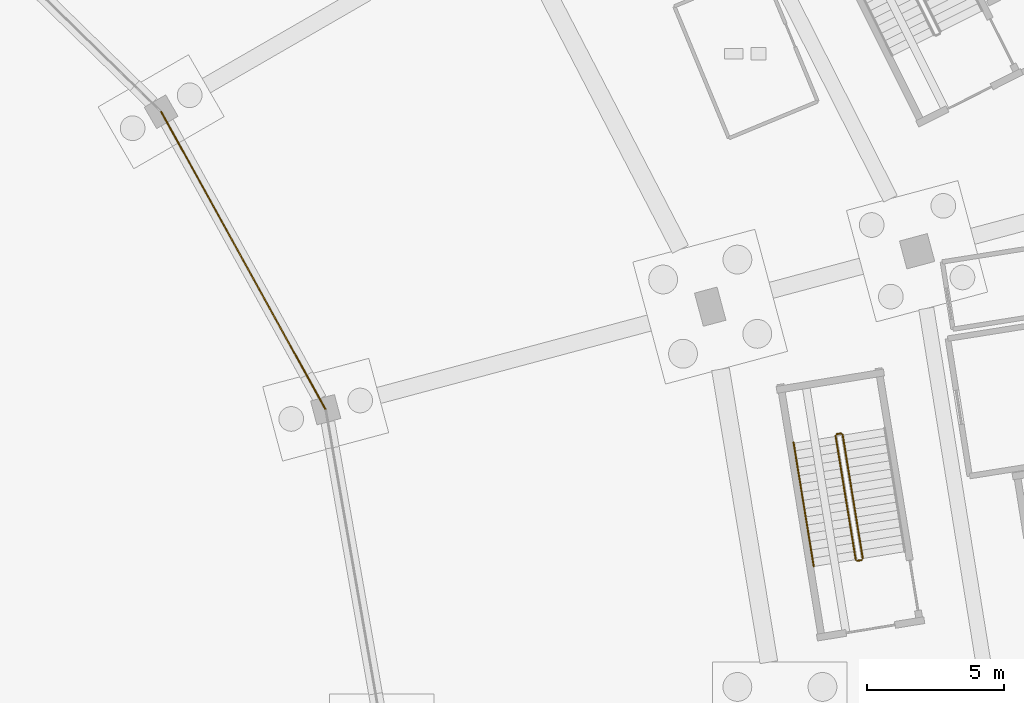
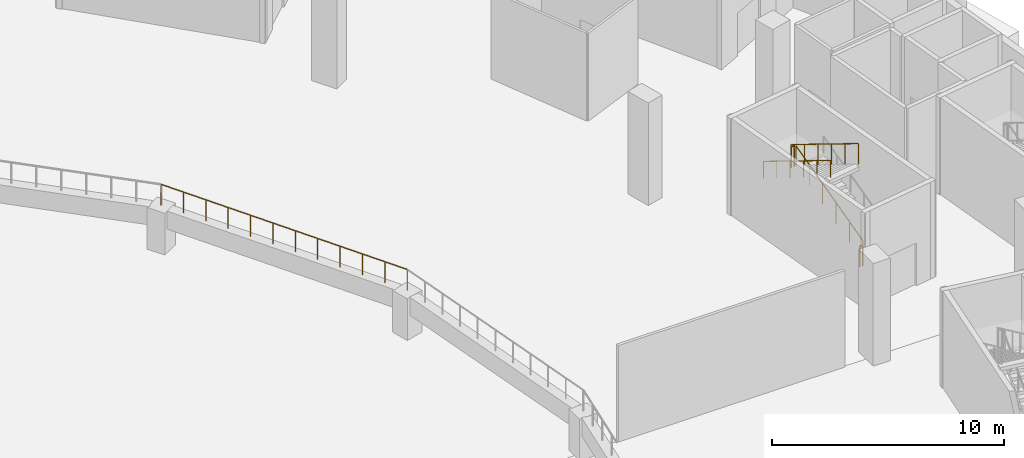
# One storey, part 78 of 103: 6 railings.
"""IFC4 building model written with IfcOpenShell, lengths in metres."""

from ifc_helpers import new_model, si_unit, direction, frame, origin, origin_2d, place, context, subcontext, project, spatial, circle, extrude, material, type_object, element, save


model = new_model("IFC4")

# Units and contexts
model_context = context("Model", 3, precision=1e-05, world=origin(), true_north=direction((0.0, 1.0)))
body_context = subcontext(model_context, "Body", "Model", "MODEL_VIEW")
ifc_project = project(units=[si_unit("LENGTHUNIT", "METRE"), si_unit("AREAUNIT", "SQUARE_METRE"), si_unit("VOLUMEUNIT", "CUBIC_METRE"), si_unit("PLANEANGLEUNIT", "RADIAN"), si_unit("MASSUNIT", "GRAM", prefix="KILO")], contexts=[model_context])

# Site, building, storey
site_placement = place(None, origin())
site = spatial("IfcSite", under=ifc_project, at=site_placement, CompositionType="ELEMENT")
building_placement = place(site_placement, origin())
building = spatial("IfcBuilding", under=site, at=building_placement, Name="Zevraka Park Crest Stadium", CompositionType="ELEMENT")
storey_placement = place(building_placement, origin())
storey = spatial("IfcBuildingStorey", under=building, at=storey_placement, Name="L00", CompositionType="ELEMENT", Elevation=0.0)

# Railings
ifc_material_1 = material(Name="Laminated glass and stainless steel sightline bowl guard", Category="steel")
railing_type_1 = type_object("IfcRailingType", Name="GR02", PredefinedType="GUARDRAIL", material=ifc_material_1)
railing_1_placement = place(storey_placement, frame((169.9560546875, 103.64697265625, 2.199951171875)))
element("IfcRailing", 1, at=railing_1_placement, inside=storey, type_object=railing_type_1, Name="Lower Tier Pitch Sightline Guard GR02 01", PredefinedType="GUARDRAIL", context=body_context, shape_type="SweptSolid", body=[
    extrude(circle(Radius=0.02392578125, at=origin_2d()), frame((0.0, 0.0, 1.09619140625), z_axis=(-0.483464590842, 0.875363918266, 0.0), x_axis=(-0.875363918266, -0.483464590842, 0.0)), (0.0, 0.0, 1.0), 12.398193359375),
    extrude(circle(Radius=0.02099609375, at=origin_2d()), origin(), (0.0, 0.0, 1.0), 1.072021484375),
    extrude(circle(Radius=0.02099609375, at=origin_2d()), frame((-0.544921875, 0.986572265625, 0.0)), (0.0, 0.0, 1.0), 1.072021484375),
    extrude(circle(Radius=0.02099609375, at=origin_2d()), frame((-1.08984375, 1.973388671875, 0.0)), (0.0, 0.0, 1.0), 1.072021484375),
    extrude(circle(Radius=0.02099609375, at=origin_2d()), frame((-1.634765625, 2.9599609375, 0.0)), (0.0, 0.0, 1.0), 1.072021484375),
    extrude(circle(Radius=0.02099609375, at=origin_2d()), frame((-2.1796875, 3.946533203125, 0.0)), (0.0, 0.0, 1.0), 1.072021484375),
    extrude(circle(Radius=0.02099609375, at=origin_2d()), frame((-2.724609375, 4.93310546875, 0.0)), (0.0, 0.0, 1.0), 1.072021484375),
    extrude(circle(Radius=0.02099609375, at=origin_2d()), frame((-3.26953125, 5.919921875, 0.0)), (0.0, 0.0, 1.0), 1.072021484375),
    extrude(circle(Radius=0.02099609375, at=origin_2d()), frame((-3.814453125, 6.906494140625, 0.0)), (0.0, 0.0, 1.0), 1.072021484375),
    extrude(circle(Radius=0.02099609375, at=origin_2d()), frame((-4.359375, 7.89306640625, 0.0)), (0.0, 0.0, 1.0), 1.072021484375),
    extrude(circle(Radius=0.02099609375, at=origin_2d()), frame((-4.904296875, 8.879638671875, 0.0)), (0.0, 0.0, 1.0), 1.072021484375),
    extrude(circle(Radius=0.02099609375, at=origin_2d()), frame((-5.44921875, 9.866455078125, 0.0)), (0.0, 0.0, 1.0), 1.072021484375),
    extrude(circle(Radius=0.02099609375, at=origin_2d()), frame((-5.994140625, 10.85302734375, 0.0)), (0.0, 0.0, 1.0), 1.072021484375),
])
ifc_material_2 = material(Name="Powder-coated tubular steel stairwell guard", Category="steel")
railing_type_2 = type_object("IfcRailingType", Name="GR03", PredefinedType="GUARDRAIL", material=ifc_material_2)
railing_2_placement = place(storey_placement, frame((189.51806640625, 98.22705078125, 0.168701171875)))
element("IfcRailing", 2, at=railing_2_placement, inside=storey, type_object=railing_type_2, Name="L00 ST33 stair guard 1", PredefinedType="GUARDRAIL", context=body_context, shape_type="SweptSolid", body=[
    extrude(circle(Radius=0.02392578125, at=origin_2d()), frame((0.0, 0.0, 1.076171875), z_axis=(-0.140638749695, 0.863630250448, 0.484111074646), x_axis=(-0.986998608989, -0.160728795971, 0.0)), (0.0, 0.0, 1.0), 5.228759765625),
    extrude(circle(Radius=0.02099609375, at=origin_2d()), origin(), (0.0, 0.0, 1.0), 1.052001953125),
    extrude(circle(Radius=0.02099609375, at=origin_2d()), frame((-0.14697265625, 0.903076171875, 0.50634765625)), (0.0, 0.0, 1.0), 1.052001953125),
    extrude(circle(Radius=0.02099609375, at=origin_2d()), frame((-0.294189453125, 1.80615234375, 1.012451171875)), (0.0, 0.0, 1.0), 1.052001953125),
    extrude(circle(Radius=0.02099609375, at=origin_2d()), frame((-0.441162109375, 2.70947265625, 1.518798828125)), (0.0, 0.0, 1.0), 1.052001953125),
    extrude(circle(Radius=0.02099609375, at=origin_2d()), frame((-0.58837890625, 3.612548828125, 2.02490234375)), (0.0, 0.0, 1.0), 1.052001953125),
    extrude(circle(Radius=0.02099609375, at=origin_2d()), frame((-0.7353515625, 4.515625, 2.53125)), (0.0, 0.0, 1.0), 1.052001953125),
])
railing_3_placement = place(storey_placement, frame((188.725341796875, 102.783935546875, 2.699951171875)))
element("IfcRailing", 3, at=railing_3_placement, inside=storey, type_object=railing_type_2, Name="L00 ST33 stair guard 2", PredefinedType="GUARDRAIL", context=body_context, shape_type="SweptSolid", body=[
    extrude(circle(Radius=0.02392578125, at=origin_2d()), frame((0.0, 0.0, 1.076171875), z_axis=(-0.98680366745, -0.161921344814, 0.0), x_axis=(0.161921344814, -0.98680366745, 0.0)), (0.0, 0.0, 1.0), 0.159912109375),
    extrude(circle(Radius=0.02099609375, at=origin_2d()), origin(), (0.0, 0.0, 1.0), 1.052001953125),
    extrude(circle(Radius=0.02099609375, at=origin_2d()), frame((-0.15771484375, -0.02587890625, 0.0)), (0.0, 0.0, 1.0), 1.052001953125),
])
railing_4_placement = place(storey_placement, frame((188.526123046875, 102.70068359375, 2.86865234375)))
element("IfcRailing", 4, at=railing_4_placement, inside=storey, type_object=railing_type_2, Name="L00 ST33 stair guard 3", PredefinedType="GUARDRAIL", context=body_context, shape_type="SweptSolid", body=[
    extrude(circle(Radius=0.02392578125, at=origin_2d()), frame((0.0, 0.0, 1.076171875), z_axis=(0.140644421188, -0.863618383089, 0.484130597235), x_axis=(0.986997230318, 0.160737261839, 0.0)), (0.0, 0.0, 1.0), 5.228515625),
    extrude(circle(Radius=0.02099609375, at=origin_2d()), origin(), (0.0, 0.0, 1.0), 1.052001953125),
    extrude(circle(Radius=0.02099609375, at=origin_2d()), frame((0.14697265625, -0.903076171875, 0.50634765625)), (0.0, 0.0, 1.0), 1.052001953125),
    extrude(circle(Radius=0.02099609375, at=origin_2d()), frame((0.294189453125, -1.80615234375, 1.012451171875)), (0.0, 0.0, 1.0), 1.052001953125),
    extrude(circle(Radius=0.02099609375, at=origin_2d()), frame((0.441162109375, -2.709228515625, 1.518798828125)), (0.0, 0.0, 1.0), 1.052001953125),
    extrude(circle(Radius=0.02099609375, at=origin_2d()), frame((0.58837890625, -3.6123046875, 2.02490234375)), (0.0, 0.0, 1.0), 1.052001953125),
    extrude(circle(Radius=0.02099609375, at=origin_2d()), frame((0.7353515625, -4.515380859375, 2.53125)), (0.0, 0.0, 1.0), 1.052001953125),
])
railing_5_placement = place(storey_placement, frame((189.476806640625, 98.169677734375, 0.0)))
element("IfcRailing", 5, at=railing_5_placement, inside=storey, type_object=railing_type_2, Name="L00 ST33 stair guard 4", PredefinedType="GUARDRAIL", context=body_context, shape_type="SweptSolid", body=[
    extrude(circle(Radius=0.02392578125, at=origin_2d()), frame((0.0, 0.0, 1.076171875), z_axis=(-0.987085924886, -0.160191687964, 0.0), x_axis=(0.160191687964, -0.987085924886, 0.0)), (0.0, 0.0, 1.0), 0.159912109375),
    extrude(circle(Radius=0.02099609375, at=origin_2d()), origin(), (0.0, 0.0, 1.0), 1.052001953125),
    extrude(circle(Radius=0.02099609375, at=origin_2d()), frame((-0.157958984375, -0.025634765625, 0.0)), (0.0, 0.0, 1.0), 1.052001953125),
])
ifc_material_3 = material(Name="Brushed stainless steel continuous handrail", Category="steel")
railing_type_3 = type_object("IfcRailingType", Name="HR01", PredefinedType="HANDRAIL", material=ifc_material_3)
railing_6_placement = place(storey_placement, frame((186.996337890625, 102.45166015625, 2.86865234375)))
element("IfcRailing", 6, at=railing_6_placement, inside=storey, type_object=railing_type_3, Name="L00 ST33 stair handrail 2", PredefinedType="HANDRAIL", context=body_context, shape_type="SweptSolid", body=[
    extrude(circle(Radius=0.02392578125, at=origin_2d()), frame((0.0, 0.0, 0.8759765625), z_axis=(0.140638749695, -0.863630250448, 0.484111074646), x_axis=(0.986998608989, 0.160728795971, 0.0)), (0.0, 0.0, 1.0), 5.228759765625),
    extrude(circle(Radius=0.02099609375, at=origin_2d()), origin(), (0.0, 0.0, 1.0), 0.851806640625),
    extrude(circle(Radius=0.02099609375, at=origin_2d()), frame((0.14697265625, -0.903076171875, 0.50634765625)), (0.0, 0.0, 1.0), 0.851806640625),
    extrude(circle(Radius=0.02099609375, at=origin_2d()), frame((0.294189453125, -1.80615234375, 1.012451171875)), (0.0, 0.0, 1.0), 0.851806640625),
    extrude(circle(Radius=0.02099609375, at=origin_2d()), frame((0.441162109375, -2.70947265625, 1.518798828125)), (0.0, 0.0, 1.0), 0.851806640625),
    extrude(circle(Radius=0.02099609375, at=origin_2d()), frame((0.58837890625, -3.612548828125, 2.02490234375)), (0.0, 0.0, 1.0), 0.851806640625),
    extrude(circle(Radius=0.02099609375, at=origin_2d()), frame((0.7353515625, -4.515625, 2.53125)), (0.0, 0.0, 1.0), 0.851806640625),
])

save(model, "model.ifc")
